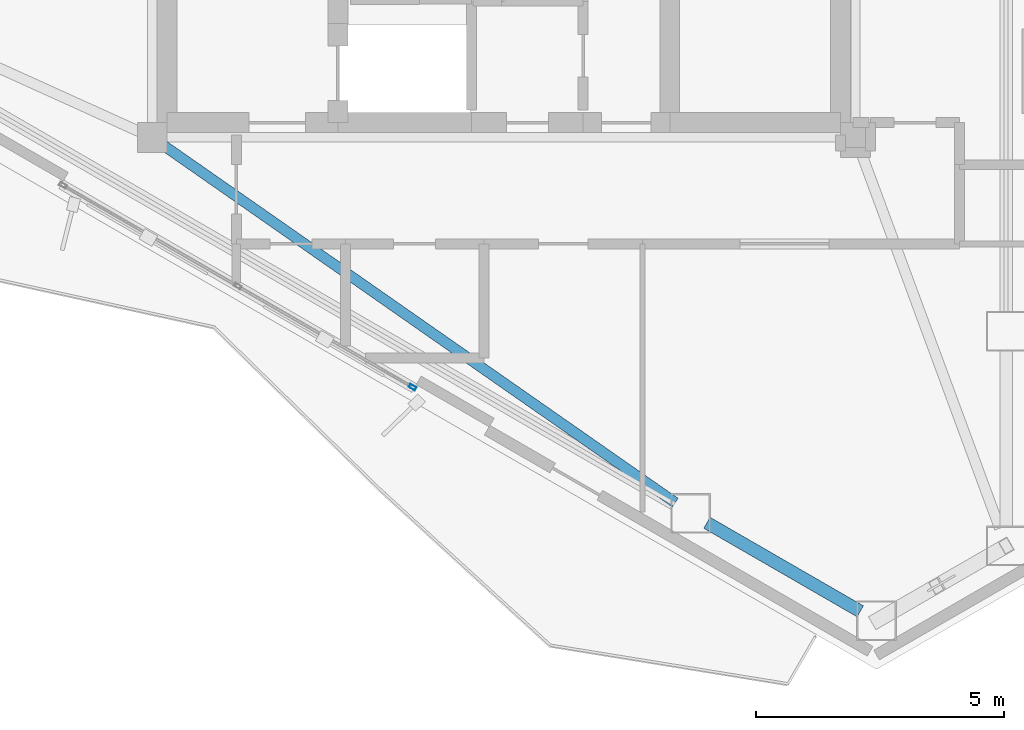
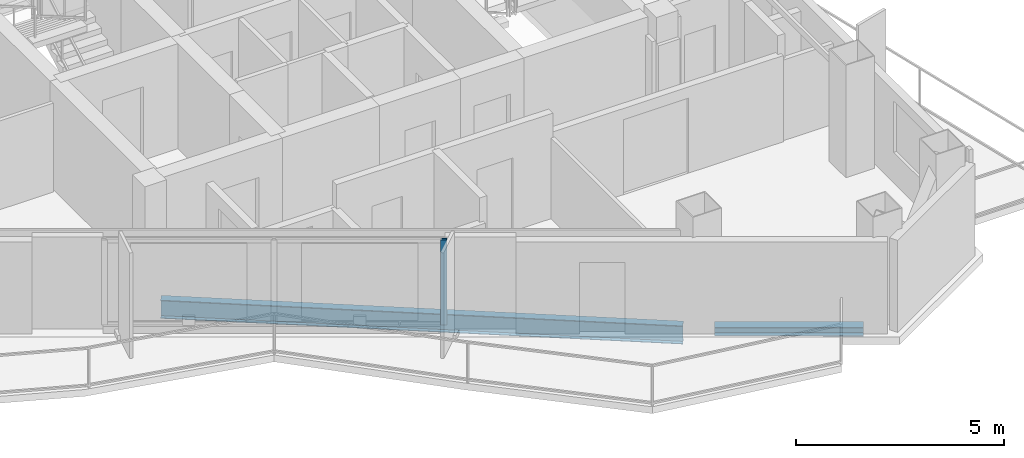
# One storey, part 5 of 18: 2 beams, 1 member, 1 element without a shape of its own.
"""IFC4 building model written with IfcOpenShell, lengths in metres."""

from ifc_helpers import new_model, si_unit, direction, frame, origin, origin_2d, place, context, subcontext, project, spatial, hollow_rectangle, i_section, extrude, material, layer, layer_set, material_profile, profile_set, type_object, element, aggregate, save


model = new_model("IFC4")

# Units and contexts
model_context = context("Model", 3, precision=1e-05, world=origin(), true_north=direction((0.0, 1.0)))
body_context = subcontext(model_context, "Body", "Model", "MODEL_VIEW")
ifc_project = project(units=[si_unit("LENGTHUNIT", "METRE"), si_unit("AREAUNIT", "SQUARE_METRE"), si_unit("VOLUMEUNIT", "CUBIC_METRE"), si_unit("PLANEANGLEUNIT", "RADIAN"), si_unit("MASSUNIT", "GRAM", prefix="KILO")], contexts=[model_context])

# Site, building, storey
site_placement = place(None, origin())
site = spatial("IfcSite", under=ifc_project, at=site_placement, CompositionType="ELEMENT")
building_placement = place(site_placement, origin())
building = spatial("IfcBuilding", under=site, at=building_placement, Name="Mersakhor Tower and Convention Hall", CompositionType="ELEMENT")
storey_placement = place(building_placement, frame((0.0, 0.0, 236.39990234375)))
storey = spatial("IfcBuildingStorey", under=building, at=storey_placement, Name="L66", CompositionType="ELEMENT", Elevation=236.39990234375)

# Beams
ifc_material_1 = material(Name="Steel S355", Category="steel")
ifc_material_profile_1 = material_profile(ifc_material_1, i_section(OverallWidth=0.2099609375, OverallDepth=0.53662109375, WebThickness=0.0107421875, FlangeThickness=0.017333984375, at=origin_2d()), Name="UB 533x210x101")
ifc_profile_set_1 = profile_set([ifc_material_profile_1], Name="Steel S355")
beam_type_1 = type_object("IfcBeamType", Name="BM-FB-533", PredefinedType="BEAM", material=ifc_profile_set_1)
beam_1_placement = place(storey_placement, frame((22.129638671875, 20.289794921875, -0.48828125), z_axis=(0.819954136469, -0.572429221903, 0.0), x_axis=(0.572429221903, 0.819954136469, 0.0)))
element("IfcBeam", 1, at=beam_1_placement, inside=storey, type_object=beam_type_1, Name="L66 Primary Floor Girder FG-5", PredefinedType="BEAM", context=body_context, shape_type="SweptSolid", body=[
    extrude(i_section(OverallWidth=0.2099609375, OverallDepth=0.53662109375, WebThickness=0.0107421875, FlangeThickness=0.017333984375, at=origin_2d()), origin(), (0.0, 0.0, 1.0), 12.598388671875),
])
ifc_material_2 = material(Name="Steel S355", Category="steel")
ifc_material_profile_2 = material_profile(ifc_material_2, i_section(OverallWidth=0.25634765625, OverallDepth=0.26025390625, WebThickness=0.01025390625, FlangeThickness=0.017333984375, at=origin_2d()), Name="UC 254x254x89")
ifc_profile_set_2 = profile_set([ifc_material_profile_2], Name="Steel S355")
beam_type_2 = type_object("IfcBeamType", Name="BM-SPD-UC254", PredefinedType="SPANDREL", material=ifc_profile_set_2)
beam_2_placement = place(storey_placement, frame((36.196044921875, 10.88330078125, -0.35009765625), z_axis=(-0.866002454009, 0.500039748071, 0.0), x_axis=(-0.500039748071, -0.866002454009, 0.0)))
element("IfcBeam", 2, at=beam_2_placement, inside=storey, type_object=beam_type_2, Name="L66 Perimeter Spandrel Beam SPB-09", PredefinedType="SPANDREL", context=body_context, shape_type="SweptSolid", body=[
    extrude(i_section(OverallWidth=0.25634765625, OverallDepth=0.26025390625, WebThickness=0.01025390625, FlangeThickness=0.017333984375, at=origin_2d()), origin(), (0.0, 0.0, 1.0), 3.574462890625),
])

# Curtain wall, member
ifc_material_3 = material(Name="Dark solar low-E aluminium curtain wall", Category="aluminium")
ifc_layer = layer(ifc_material_3, 0.179931640625)
ifc_layer_set = layer_set([ifc_layer], Name="Dark solar low-E aluminium curtain wall")
curtain_wall_type = type_object("IfcCurtainWallType", Name="CW-SYS-03", PredefinedType="USERDEFINED", material=ifc_layer_set)
curtain_wall_placement = place(storey_placement, origin())
curtain_wall = element("IfcCurtainWall", 3, at=curtain_wall_placement, inside=storey, type_object=curtain_wall_type, Name="L66 Dark-Glass Curtain Wall F3-B2", ObjectType="CURTAIN WALL", PredefinedType="USERDEFINED")
ifc_material_4 = material(Name="Anodised aluminium EN AW-6063 T6", Category="aluminium")
ifc_material_profile_3 = material_profile(ifc_material_4, hollow_rectangle(XDim=0.074951171875, YDim=0.14990234375, WallThickness=0.00634765625, at=origin_2d()), Name="RHS 150x75x6.3")
ifc_profile_set_3 = profile_set([ifc_material_profile_3], Name="Anodised aluminium EN AW-6063 T6")
member_type = type_object("IfcMemberType", Name="CWM-150x75", PredefinedType="MULLION", material=ifc_profile_set_3)
member_placement = place(storey_placement, frame((27.158935546875, 15.408203125, 0.2001953125), z_axis=(0.0, 0.0, 1.0), x_axis=(-0.500004411169, -0.86602285698, 0.0)))
member = element("IfcMember", 4, at=member_placement, type_object=member_type, Name="CW-03 mullion 1", PredefinedType="MULLION", context=body_context, shape_type="SweptSolid", body=[
    extrude(hollow_rectangle(XDim=0.074951171875, YDim=0.14990234375, WallThickness=0.00634765625, at=origin_2d()), origin(), (0.0, 0.0, 1.0), 2.5),
])
aggregate(curtain_wall, [member])

save(model, "model.ifc")
